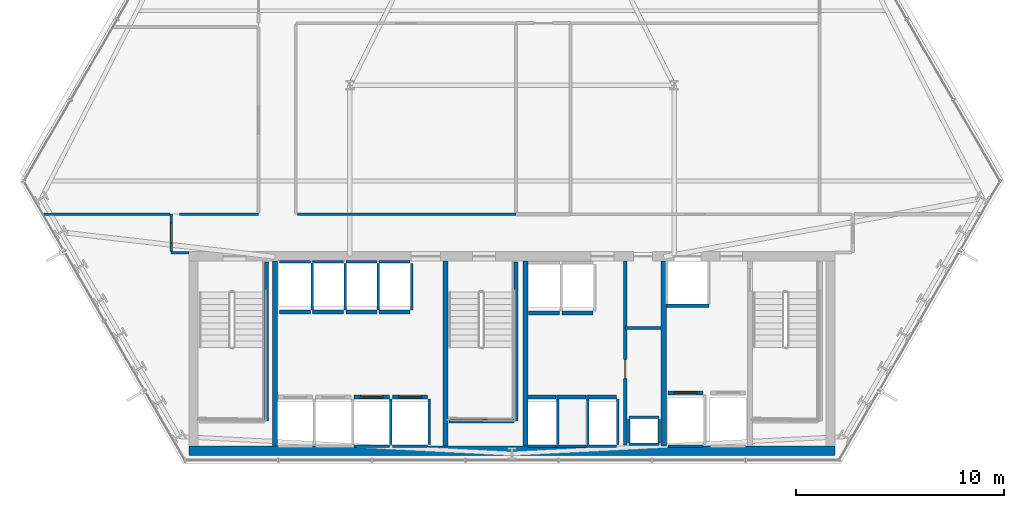
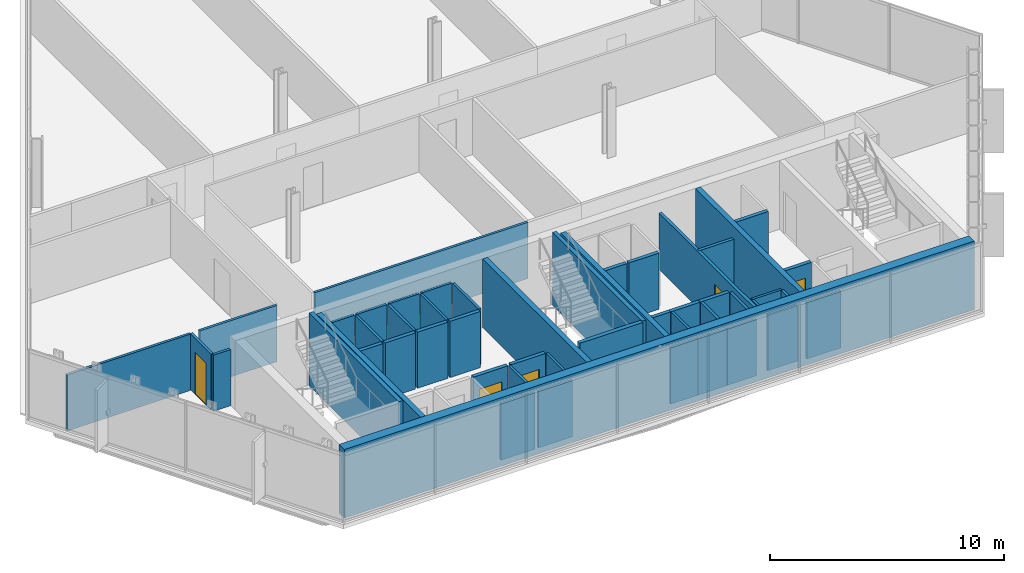
# One storey, part 26 of 32: 51 walls, 5 doors, 5 openings.
"""IFC4 building model written with IfcOpenShell, lengths in metres."""

from ifc_helpers import new_model, si_unit, direction, frame, frame_2d, origin, place, context, subcontext, project, spatial, rectangle, extrude, material, layer, layer_set, type_object, element, fill, save


model = new_model("IFC4")

# Units and contexts
model_context = context("Model", 3, precision=1e-05, world=origin(), true_north=direction((0.0, 1.0)))
body_context = subcontext(model_context, "Body", "Model", "MODEL_VIEW")
ifc_project = project(units=[si_unit("LENGTHUNIT", "METRE"), si_unit("AREAUNIT", "SQUARE_METRE"), si_unit("VOLUMEUNIT", "CUBIC_METRE"), si_unit("PLANEANGLEUNIT", "RADIAN"), si_unit("MASSUNIT", "GRAM", prefix="KILO")], contexts=[model_context])

# Site, building, storey
site_placement = place(None, origin())
site = spatial("IfcSite", under=ifc_project, at=site_placement, CompositionType="ELEMENT")
building_placement = place(site_placement, origin())
building = spatial("IfcBuilding", under=site, at=building_placement, Name="Ndaravel Arena Tower", CompositionType="ELEMENT")
storey_placement = place(building_placement, frame((0.0, 0.0, 58.800048828125)))
storey = spatial("IfcBuildingStorey", under=building, at=storey_placement, Name="L12", CompositionType="ELEMENT", Elevation=58.800048828125)

# Wall, opening, door
ifc_material_1 = material(Name="Gypsum", Category="gypsum")
ifc_layer_1 = layer(ifc_material_1, 0.14990234375)
ifc_layer_set_1 = layer_set([ifc_layer_1], Name="Gypsum")
wall_type_1 = type_object("IfcWallType", Name="WALL-COMP-150", PredefinedType="PARTITIONING", material=ifc_layer_set_1)
wall_1_placement = place(storey_placement, frame((47.449951171875, 5.89990234375, 0.0), z_axis=(0.0, 0.0, 1.0), x_axis=(0.0, 1.0, 0.0)))
wall_1 = element("IfcWall", 1, at=wall_1_placement, inside=storey, type_object=wall_type_1, Name="L12 Core Riser Bay Partition", PredefinedType="PARTITIONING", context=body_context, shape_type="SweptSolid", body=[
    extrude(rectangle(XDim=8.85009765625, YDim=0.14990234375, at=frame_2d((4.425048828125, 0.0))), origin(), (0.0, 0.0, 1.0), 2.932861328125),
])
opening_1_placement = place(wall_1_placement, frame((3.199951171875, 0.0, 0.0)))
opening_1 = element("IfcOpeningElement", 2, at=opening_1_placement, cuts=wall_1, Name="Opening RD-01", PredefinedType="OPENING", context=body_context, shape_type="SweptSolid", body=[
    extrude(rectangle(XDim=0.89990234375, YDim=2.10009765625, at=frame_2d((0.449951171875, 1.050048828125))), frame((0.0, 0.074951171875, 0.0), z_axis=(0.0, -1.0, 0.0), x_axis=(1.0, 0.0, 0.0)), (0.0, 0.0, 1.0), 0.14990234375),
])
ifc_material_2 = material(Name="Steel S355", Category="steel")
door_type_1 = type_object("IfcDoorType", Name="DT-08-RISER-900", OperationType="SINGLE_SWING_LEFT", PredefinedType="DOOR", material=ifc_material_2)
door_1_placement = place(opening_1_placement, origin())
door_1 = element("IfcDoor", 3, at=door_1_placement, inside=storey, type_object=door_type_1, Name="L12 Sub-Metering Closet Door", OperationType="SINGLE_SWING_LEFT", OverallHeight=2.10009765625, OverallWidth=0.89990234375, PredefinedType="DOOR", context=body_context, shape_type="SweptSolid", body=[
    extrude(rectangle(XDim=0.89990234375, YDim=2.10009765625, at=frame_2d((0.449951171875, 1.050048828125))), frame((0.0, 0.02490234375, 0.0), z_axis=(0.0, -1.0, 0.0), x_axis=(1.0, 0.0, 0.0)), (0.0, 0.0, 1.0), 0.050048828125),
])
fill(opening_1, door_1)

# Walls
wall_2_placement = place(storey_placement, frame((47.449951171875, 11.52001953125, 0.0), z_axis=(0.0, 0.0, 1.0), x_axis=(1.0, 0.0, 0.0)))
element("IfcWall", 4, at=wall_2_placement, inside=storey, type_object=wall_type_1, Name="L12 Core Riser Divider 1", PredefinedType="PARTITIONING", context=body_context, shape_type="SweptSolid", body=[
    extrude(rectangle(XDim=1.72998046875, YDim=0.14990234375, at=frame_2d((0.864990234375, 0.0))), origin(), (0.0, 0.0, 1.0), 2.932861328125),
])
ifc_material_3 = material(Name="Concrete C60/75", Category="concrete")
ifc_layer_2 = layer(ifc_material_3, 0.25)
ifc_layer_set_2 = layer_set([ifc_layer_2], Name="Concrete C60/75")
wall_type_2 = type_object("IfcWallType", Name="WALL-CORE-250", PredefinedType="SOLIDWALL", material=ifc_layer_set_2)
for number, where, z_axis, x_axis, name in (
    (5, (30.60009765625, 5.85009765625, 0.0), (0.0, 0.0, 1.0), (0.0, 1.0, 0.0), "L12 Core Web Shear Wall 1"),
    (6, (38.800048828125, 5.85009765625, 0.0), (0.0, 0.0, 1.0), (0.0, 1.0, 0.0), "L12 Core Web Shear Wall 2"),
    (7, (42.64990234375, 5.85009765625, 0.0), (0.0, 0.0, 1.0), (0.0, 1.0, 0.0), "L12 Core Web Shear Wall 3"),
    (8, (49.300048828125, 5.85009765625, 0.0), (0.0, 0.0, 1.0), (0.0, 1.0, 0.0), "L12 Core Web Shear Wall 4"),
):
    element("IfcWall", number, at=place(storey_placement, frame(where, z_axis=z_axis, x_axis=x_axis)), inside=storey, type_object=wall_type_2, Name=name, PredefinedType="SOLIDWALL", context=body_context, shape_type="SweptSolid", body=[
        extrude(rectangle(XDim=8.89990234375, YDim=0.25, at=frame_2d((4.449951171875, 0.0))), origin(), (0.0, 0.0, 1.0), 3.579833984375),
    ])
ifc_material_4 = material(Name="Concrete C60/75", Category="concrete")
ifc_layer_3 = layer(ifc_material_4, 0.449951171875)
ifc_layer_set_3 = layer_set([ifc_layer_3], Name="Concrete C60/75")
wall_type_3 = type_object("IfcWallType", Name="WALL-CORE-450", PredefinedType="SOLIDWALL", material=ifc_layer_set_3)
wall_3_placement = place(storey_placement, frame((26.449951171875, 5.625, 0.0), z_axis=(0.0, 0.0, 1.0), x_axis=(1.0, 0.0, 0.0)))
element("IfcWall", 9, at=wall_3_placement, inside=storey, type_object=wall_type_3, Name="L12 Core South Shear Wall", PredefinedType="SOLIDWALL", context=body_context, shape_type="SweptSolid", body=[
    extrude(rectangle(XDim=31.10009765625, YDim=0.449951171875, at=frame_2d((15.550048828125, 0.0))), origin(), (0.0, 0.0, 1.0), 3.579833984375),
])
ifc_material_5 = material(Name="Gypsum", Category="gypsum")
ifc_layer_4 = layer(ifc_material_5, 0.125)
ifc_layer_set_4 = layer_set([ifc_layer_4], Name="Gypsum")
wall_type_4 = type_object("IfcWallType", Name="WALL-PART-125", PredefinedType="PARTITIONING", material=ifc_layer_set_4)
wall_4_placement = place(storey_placement, frame((26.449951171875, 15.14990234375, 0.0), z_axis=(0.0, 0.0, 1.0), x_axis=(-1.0, 0.0, 0.0)))
element("IfcWall", 10, at=wall_4_placement, inside=storey, type_object=wall_type_4, Name="L12 Interior Partition 003", PredefinedType="PARTITIONING", context=body_context, shape_type="SweptSolid", body=[
    extrude(rectangle(XDim=0.849853515625, YDim=0.125, at=frame_2d((0.4248046875, 0.0))), origin(), (0.0, 0.0, 1.0), 2.932861328125),
])

# Wall, opening, door
wall_5_placement = place(storey_placement, frame((25.60009765625, 15.215087890625, 0.0), z_axis=(0.0, 0.0, 1.0), x_axis=(0.0, 1.0, 0.0)))
wall_5 = element("IfcWall", 11, at=wall_5_placement, inside=storey, type_object=wall_type_4, Name="L12 Interior Partition 004", PredefinedType="PARTITIONING", context=body_context, shape_type="SweptSolid", body=[
    extrude(rectangle(XDim=1.784912109375, YDim=0.125, at=frame_2d((0.892578125, 0.0))), origin(), (0.0, 0.0, 1.0), 2.932861328125),
])
opening_2_placement = place(wall_5_placement, frame((0.41748046875, 0.0, 0.0)))
opening_2 = element("IfcOpeningElement", 12, at=opening_2_placement, cuts=wall_5, Name="Opening ID-01", PredefinedType="OPENING", context=body_context, shape_type="SweptSolid", body=[
    extrude(rectangle(XDim=0.949951171875, YDim=2.199951171875, at=frame_2d((0.47509765625, 1.10009765625))), frame((0.0, 0.0625, 0.0), z_axis=(0.0, -1.0, 0.0), x_axis=(1.0, 0.0, 0.0)), (0.0, 0.0, 1.0), 0.125),
])
ifc_material_6 = material(Name="Timber", Category="wood")
door_type_2 = type_object("IfcDoorType", Name="DT-03-OFFICE-950", OperationType="SINGLE_SWING_LEFT", PredefinedType="DOOR", material=ifc_material_6)
door_2_placement = place(opening_2_placement, origin())
door_2 = element("IfcDoor", 13, at=door_2_placement, inside=storey, type_object=door_type_2, Name="L12 Open Plan Workplace Door", OperationType="SINGLE_SWING_LEFT", OverallHeight=2.199951171875, OverallWidth=0.949951171875, PredefinedType="DOOR", context=body_context, shape_type="SweptSolid", body=[
    extrude(rectangle(XDim=0.949951171875, YDim=2.199951171875, at=frame_2d((0.47509765625, 1.10009765625))), frame((0.0, 0.02490234375, 0.0), z_axis=(0.0, -1.0, 0.0), x_axis=(1.0, 0.0, 0.0)), (0.0, 0.0, 1.0), 0.050048828125),
])
fill(opening_2, door_2)

# Walls
wall_6_placement = place(storey_placement, frame((26.0, 17.0, 0.0), z_axis=(0.0, 0.0, 1.0), x_axis=(1.0, 0.0, 0.0)))
element("IfcWall", 14, at=wall_6_placement, inside=storey, type_object=wall_type_4, Name="L12 Interior Partition 005", PredefinedType="PARTITIONING", context=body_context, shape_type="SweptSolid", body=[
    extrude(rectangle(XDim=3.800048828125, YDim=0.125, at=frame_2d((1.89990234375, 0.0))), origin(), (0.0, 0.0, 1.0), 2.932861328125),
])
wall_7_placement = place(storey_placement, frame((31.6650390625, 17.0, 0.0), z_axis=(0.0, 0.0, 1.0), x_axis=(1.0, 0.0, 0.0)))
element("IfcWall", 15, at=wall_7_placement, inside=storey, type_object=wall_type_4, Name="L12 Interior Partition 018", PredefinedType="PARTITIONING", context=body_context, shape_type="SweptSolid", body=[
    extrude(rectangle(XDim=10.51904296875, YDim=0.125, at=frame_2d((5.259521484375, 0.0))), origin(), (0.0, 0.0, 1.0), 2.932861328125),
])
wall_8_placement = place(storey_placement, frame((19.42919921875, 17.0, 0.0), z_axis=(0.0, 0.0, 1.0), x_axis=(1.0, 0.0, 0.0)))
element("IfcWall", 16, at=wall_8_placement, inside=storey, type_object=wall_type_4, Name="L12 Interior Partition 022", PredefinedType="PARTITIONING", context=body_context, shape_type="SweptSolid", body=[
    extrude(rectangle(XDim=6.105712890625, YDim=0.125, at=frame_2d((3.052734375, 0.0))), origin(), (0.0, 0.0, 1.0), 2.932861328125),
])
ifc_material_7 = material(Name="Concrete C40/50", Category="concrete")
ifc_layer_5 = layer(ifc_material_7, 0.1201171875)
ifc_layer_set_5 = layer_set([ifc_layer_5], Name="Concrete C40/50")
wall_type_5 = type_object("IfcWallType", Name="WALL-SHAFT-120", PredefinedType="SOLIDWALL", material=ifc_layer_set_5)
for number, where, z_axis, x_axis, name in (
    (17, (47.6201171875, 5.919921875, 0.0), (0.0, 0.0, 1.0), (1.0, 0.0, 0.0), "L12 MEP Riser Shaft S Wall"),
    (18, (47.6201171875, 7.219970703125, 0.0), (0.0, 0.0, 1.0), (1.0, 0.0, 0.0), "L12 MEP Riser Shaft N Wall"),
):
    element("IfcWall", number, at=place(storey_placement, frame(where, z_axis=z_axis, x_axis=x_axis)), inside=storey, type_object=wall_type_5, Name=name, PredefinedType="SOLIDWALL", context=body_context, shape_type="SweptSolid", body=[
        extrude(rectangle(XDim=1.4599609375, YDim=0.1201171875, at=frame_2d((0.72998046875, 0.0))), origin(), (0.0, 0.0, 1.0), 2.932861328125),
    ])
for number, where, z_axis, x_axis, name in (
    (19, (47.6201171875, 6.0, 0.0), (0.0, 0.0, 1.0), (0.0, 1.0, 0.0), "L12 MEP Riser Shaft W Wall"),
    (20, (49.080078125, 6.0, 0.0), (0.0, 0.0, 1.0), (0.0, 1.0, 0.0), "L12 MEP Riser Shaft E Wall"),
):
    element("IfcWall", number, at=place(storey_placement, frame(where, z_axis=z_axis, x_axis=x_axis)), inside=storey, type_object=wall_type_5, Name=name, PredefinedType="SOLIDWALL", context=body_context, shape_type="SweptSolid", body=[
        extrude(rectangle(XDim=1.139892578125, YDim=0.1201171875, at=frame_2d((0.56982421875, 0.0))), origin(), (0.0, 0.0, 1.0), 2.932861328125),
    ])
wall_9_placement = place(storey_placement, frame((34.405029296875, 5.840087890625, 0.0), z_axis=(0.0, 0.0, 1.0), x_axis=(1.0, 0.0, 0.0)))
element("IfcWall", 21, at=wall_9_placement, inside=storey, type_object=wall_type_5, Name="L12 PL-L3 Shaft Rear Wall", PredefinedType="SOLIDWALL", context=body_context, shape_type="SweptSolid", body=[
    extrude(rectangle(XDim=1.68994140625, YDim=0.1201171875, at=frame_2d((0.844970703125, 0.0))), origin(), (0.0, 0.0, 1.0), 2.932861328125),
])
wall_10_placement = place(storey_placement, frame((36.175048828125, 5.929931640625, 0.0), z_axis=(0.0, 0.0, 1.0), x_axis=(0.0, 1.0, 0.0)))
element("IfcWall", 22, at=wall_10_placement, inside=storey, type_object=wall_type_5, Name="L12 PL-L3 Shaft Side R Wall", PredefinedType="SOLIDWALL", context=body_context, shape_type="SweptSolid", body=[
    extrude(rectangle(XDim=2.18017578125, YDim=0.1201171875, at=frame_2d((1.090087890625, 0.0))), origin(), (0.0, 0.0, 1.0), 2.932861328125),
])
wall_11_placement = place(storey_placement, frame((36.2548828125, 5.840087890625, 0.0), z_axis=(0.0, 0.0, 1.0), x_axis=(1.0, 0.0, 0.0)))
element("IfcWall", 23, at=wall_11_placement, inside=storey, type_object=wall_type_5, Name="L12 PL-L4 Shaft Rear Wall", PredefinedType="SOLIDWALL", context=body_context, shape_type="SweptSolid", body=[
    extrude(rectangle(XDim=1.690185546875, YDim=0.1201171875, at=frame_2d((0.84521484375, 0.0))), origin(), (0.0, 0.0, 1.0), 2.932861328125),
])
wall_12_placement = place(storey_placement, frame((38.02490234375, 5.929931640625, 0.0), z_axis=(0.0, 0.0, 1.0), x_axis=(0.0, 1.0, 0.0)))
element("IfcWall", 24, at=wall_12_placement, inside=storey, type_object=wall_type_5, Name="L12 PL-L4 Shaft Side R Wall", PredefinedType="SOLIDWALL", context=body_context, shape_type="SweptSolid", body=[
    extrude(rectangle(XDim=2.18017578125, YDim=0.1201171875, at=frame_2d((1.090087890625, 0.0))), origin(), (0.0, 0.0, 1.0), 2.932861328125),
])
wall_13_placement = place(storey_placement, frame((30.804931640625, 14.7099609375, 0.0), z_axis=(0.0, 0.0, 1.0), x_axis=(1.0, 0.0, 0.0)))
element("IfcWall", 25, at=wall_13_placement, inside=storey, type_object=wall_type_5, Name="L12 PL-M1 Shaft Rear Wall", PredefinedType="SOLIDWALL", context=body_context, shape_type="SweptSolid", body=[
    extrude(rectangle(XDim=1.489990234375, YDim=0.1201171875, at=frame_2d((0.7451171875, 0.0))), origin(), (0.0, 0.0, 1.0), 2.932861328125),
])
wall_14_placement = place(storey_placement, frame((32.375, 12.389892578125, 0.0), z_axis=(0.0, 0.0, 1.0), x_axis=(0.0, 1.0, 0.0)))
element("IfcWall", 26, at=wall_14_placement, inside=storey, type_object=wall_type_5, Name="L12 PL-M1 Shaft Side R Wall", PredefinedType="SOLIDWALL", context=body_context, shape_type="SweptSolid", body=[
    extrude(rectangle(XDim=2.230224609375, YDim=0.1201171875, at=frame_2d((1.115234375, 0.0))), origin(), (0.0, 0.0, 1.0), 2.932861328125),
])
wall_15_placement = place(storey_placement, frame((32.405029296875, 14.7099609375, 0.0), z_axis=(0.0, 0.0, 1.0), x_axis=(1.0, 0.0, 0.0)))
element("IfcWall", 27, at=wall_15_placement, inside=storey, type_object=wall_type_5, Name="L12 PL-M2 Shaft Rear Wall", PredefinedType="SOLIDWALL", context=body_context, shape_type="SweptSolid", body=[
    extrude(rectangle(XDim=1.489990234375, YDim=0.1201171875, at=frame_2d((0.7451171875, 0.0))), origin(), (0.0, 0.0, 1.0), 2.932861328125),
])
wall_16_placement = place(storey_placement, frame((33.97509765625, 12.389892578125, 0.0), z_axis=(0.0, 0.0, 1.0), x_axis=(0.0, 1.0, 0.0)))
element("IfcWall", 28, at=wall_16_placement, inside=storey, type_object=wall_type_5, Name="L12 PL-M2 Shaft Side R Wall", PredefinedType="SOLIDWALL", context=body_context, shape_type="SweptSolid", body=[
    extrude(rectangle(XDim=2.230224609375, YDim=0.1201171875, at=frame_2d((1.115234375, 0.0))), origin(), (0.0, 0.0, 1.0), 2.932861328125),
])
wall_17_placement = place(storey_placement, frame((34.0048828125, 14.7099609375, 0.0), z_axis=(0.0, 0.0, 1.0), x_axis=(1.0, 0.0, 0.0)))
element("IfcWall", 29, at=wall_17_placement, inside=storey, type_object=wall_type_5, Name="L12 PL-M3 Shaft Rear Wall", PredefinedType="SOLIDWALL", context=body_context, shape_type="SweptSolid", body=[
    extrude(rectangle(XDim=1.490234375, YDim=0.1201171875, at=frame_2d((0.7451171875, 0.0))), origin(), (0.0, 0.0, 1.0), 2.932861328125),
])
wall_18_placement = place(storey_placement, frame((35.574951171875, 12.389892578125, 0.0), z_axis=(0.0, 0.0, 1.0), x_axis=(0.0, 1.0, 0.0)))
element("IfcWall", 30, at=wall_18_placement, inside=storey, type_object=wall_type_5, Name="L12 PL-M3 Shaft Side R Wall", PredefinedType="SOLIDWALL", context=body_context, shape_type="SweptSolid", body=[
    extrude(rectangle(XDim=2.230224609375, YDim=0.1201171875, at=frame_2d((1.115234375, 0.0))), origin(), (0.0, 0.0, 1.0), 2.932861328125),
])
wall_19_placement = place(storey_placement, frame((35.60498046875, 14.7099609375, 0.0), z_axis=(0.0, 0.0, 1.0), x_axis=(1.0, 0.0, 0.0)))
element("IfcWall", 31, at=wall_19_placement, inside=storey, type_object=wall_type_5, Name="L12 PL-M4 Shaft Rear Wall", PredefinedType="SOLIDWALL", context=body_context, shape_type="SweptSolid", body=[
    extrude(rectangle(XDim=1.489990234375, YDim=0.1201171875, at=frame_2d((0.7451171875, 0.0))), origin(), (0.0, 0.0, 1.0), 2.932861328125),
])
wall_20_placement = place(storey_placement, frame((37.175048828125, 12.389892578125, 0.0), z_axis=(0.0, 0.0, 1.0), x_axis=(0.0, 1.0, 0.0)))
element("IfcWall", 32, at=wall_20_placement, inside=storey, type_object=wall_type_5, Name="L12 PL-M4 Shaft Side R Wall", PredefinedType="SOLIDWALL", context=body_context, shape_type="SweptSolid", body=[
    extrude(rectangle(XDim=2.230224609375, YDim=0.1201171875, at=frame_2d((1.115234375, 0.0))), origin(), (0.0, 0.0, 1.0), 2.932861328125),
])
wall_21_placement = place(storey_placement, frame((42.780029296875, 5.840087890625, 0.0), z_axis=(0.0, 0.0, 1.0), x_axis=(1.0, 0.0, 0.0)))
element("IfcWall", 33, at=wall_21_placement, inside=storey, type_object=wall_type_5, Name="L12 PL-H1 Shaft Rear Wall", PredefinedType="SOLIDWALL", context=body_context, shape_type="SweptSolid", body=[
    extrude(rectangle(XDim=1.340087890625, YDim=0.1201171875, at=frame_2d((0.669921875, 0.0))), origin(), (0.0, 0.0, 1.0), 2.932861328125),
])
wall_22_placement = place(storey_placement, frame((44.199951171875, 5.929931640625, 0.0), z_axis=(0.0, 0.0, 1.0), x_axis=(0.0, 1.0, 0.0)))
element("IfcWall", 34, at=wall_22_placement, inside=storey, type_object=wall_type_5, Name="L12 PL-H1 Shaft Side R Wall", PredefinedType="SOLIDWALL", context=body_context, shape_type="SweptSolid", body=[
    extrude(rectangle(XDim=2.18017578125, YDim=0.1201171875, at=frame_2d((1.090087890625, 0.0))), origin(), (0.0, 0.0, 1.0), 2.932861328125),
])
wall_23_placement = place(storey_placement, frame((44.1298828125, 5.840087890625, 0.0), z_axis=(0.0, 0.0, 1.0), x_axis=(1.0, 0.0, 0.0)))
element("IfcWall", 35, at=wall_23_placement, inside=storey, type_object=wall_type_5, Name="L12 PL-H2 Shaft Rear Wall", PredefinedType="SOLIDWALL", context=body_context, shape_type="SweptSolid", body=[
    extrude(rectangle(XDim=1.440185546875, YDim=0.1201171875, at=frame_2d((0.72021484375, 0.0))), origin(), (0.0, 0.0, 1.0), 2.932861328125),
])
wall_24_placement = place(storey_placement, frame((45.64990234375, 5.929931640625, 0.0), z_axis=(0.0, 0.0, 1.0), x_axis=(0.0, 1.0, 0.0)))
element("IfcWall", 36, at=wall_24_placement, inside=storey, type_object=wall_type_5, Name="L12 PL-H2 Shaft Side R Wall", PredefinedType="SOLIDWALL", context=body_context, shape_type="SweptSolid", body=[
    extrude(rectangle(XDim=2.18017578125, YDim=0.1201171875, at=frame_2d((1.090087890625, 0.0))), origin(), (0.0, 0.0, 1.0), 2.932861328125),
])
wall_25_placement = place(storey_placement, frame((45.580078125, 5.840087890625, 0.0), z_axis=(0.0, 0.0, 1.0), x_axis=(1.0, 0.0, 0.0)))
element("IfcWall", 37, at=wall_25_placement, inside=storey, type_object=wall_type_5, Name="L12 PL-H3 Shaft Rear Wall", PredefinedType="SOLIDWALL", context=body_context, shape_type="SweptSolid", body=[
    extrude(rectangle(XDim=1.43994140625, YDim=0.1201171875, at=frame_2d((0.719970703125, 0.0))), origin(), (0.0, 0.0, 1.0), 2.932861328125),
])
wall_26_placement = place(storey_placement, frame((47.10009765625, 5.929931640625, 0.0), z_axis=(0.0, 0.0, 1.0), x_axis=(0.0, 1.0, 0.0)))
element("IfcWall", 38, at=wall_26_placement, inside=storey, type_object=wall_type_5, Name="L12 PL-H3 Shaft Side R Wall", PredefinedType="SOLIDWALL", context=body_context, shape_type="SweptSolid", body=[
    extrude(rectangle(XDim=2.18017578125, YDim=0.1201171875, at=frame_2d((1.090087890625, 0.0))), origin(), (0.0, 0.0, 1.0), 2.932861328125),
])
wall_27_placement = place(storey_placement, frame((49.5048828125, 5.840087890625, 0.0), z_axis=(0.0, 0.0, 1.0), x_axis=(1.0, 0.0, 0.0)))
element("IfcWall", 39, at=wall_27_placement, inside=storey, type_object=wall_type_5, Name="L12 FFL-1 Shaft Rear Wall", PredefinedType="SOLIDWALL", context=body_context, shape_type="SweptSolid", body=[
    extrude(rectangle(XDim=1.690185546875, YDim=0.1201171875, at=frame_2d((0.84521484375, 0.0))), origin(), (0.0, 0.0, 1.0), 2.932861328125),
])
ifc_material_8 = material(Name="Concrete C40/50", Category="concrete")
ifc_layer_6 = layer(ifc_material_8, 0.199951171875)
ifc_layer_set_6 = layer_set([ifc_layer_6], Name="Concrete C40/50")
wall_type_6 = type_object("IfcWallType", Name="WALL-SHAFT-200", PredefinedType="SOLIDWALL", material=ifc_layer_set_6)
for number, where, z_axis, x_axis, name in (
    (40, (30.18994140625, 14.699951171875, 0.0), (0.0, 0.0, 1.0), (0.0, -1.0, 0.0), "L12 ST-1 Structural Shaft Wall Right"),
    (41, (42.18994140625, 14.699951171875, 0.0), (0.0, 0.0, 1.0), (0.0, -1.0, 0.0), "L12 ST-2 Structural Shaft Wall Right"),
):
    element("IfcWall", number, at=place(storey_placement, frame(where, z_axis=z_axis, x_axis=x_axis)), inside=storey, type_object=wall_type_6, Name=name, PredefinedType="SOLIDWALL", context=body_context, shape_type="SweptSolid", body=[
        extrude(rectangle(XDim=7.64990234375, YDim=0.199951171875, at=frame_2d((3.824951171875, 0.0))), origin(), (0.0, 0.0, 1.0), 3.800048828125),
    ])
wall_28_placement = place(storey_placement, frame((38.969970703125, 7.050048828125, 0.0), z_axis=(0.0, 0.0, 1.0), x_axis=(1.0, 0.0, 0.0)))
element("IfcWall", 42, at=wall_28_placement, inside=storey, type_object=wall_type_6, Name="L12 ST-2 Structural Shaft Wall Far", PredefinedType="SOLIDWALL", context=body_context, shape_type="SweptSolid", body=[
    extrude(rectangle(XDim=3.114990234375, YDim=0.199951171875, at=frame_2d((1.5576171875, 0.0))), origin(), (0.0, 0.0, 1.0), 3.800048828125),
])

# Wall, opening, door
wall_29_placement = place(storey_placement, frame((34.405029296875, 8.199951171875, 0.0), z_axis=(0.0, 0.0, 1.0), x_axis=(1.0, 0.0, 0.0)))
wall_29 = element("IfcWall", 43, at=wall_29_placement, inside=storey, type_object=wall_type_6, Name="L12 PL-L3 Shaft Landing Wall", PredefinedType="SOLIDWALL", context=body_context, shape_type="SweptSolid", body=[
    extrude(rectangle(XDim=1.68994140625, YDim=0.179931640625, at=frame_2d((0.844970703125, 0.0))), origin(), (0.0, 0.0, 1.0), 2.932861328125),
])
opening_3_placement = place(wall_29_placement, frame((0.294921875, 0.0, 0.0)))
opening_3 = element("IfcOpeningElement", 44, at=opening_3_placement, cuts=wall_29, Name="Opening LD-01", PredefinedType="OPENING", context=body_context, shape_type="SweptSolid", body=[
    extrude(rectangle(XDim=1.10009765625, YDim=2.199951171875, at=frame_2d((0.550048828125, 1.10009765625))), frame((0.0, 0.08984375, 0.0), z_axis=(0.0, -1.0, 0.0), x_axis=(1.0, 0.0, 0.0)), (0.0, 0.0, 1.0), 0.179931640625),
])
ifc_material_9 = material(Name="Steel S355", Category="steel")
door_type_3 = type_object("IfcDoorType", Name="DT-06-LIFT-1100", OperationType="SLIDING_TO_LEFT", PredefinedType="DOOR", material=ifc_material_9)
door_3_placement = place(opening_3_placement, origin())
door_3 = element("IfcDoor", 45, at=door_3_placement, inside=storey, type_object=door_type_3, Name="L12 Lift PL-L3 Sliding Landing Door", OperationType="SLIDING_TO_LEFT", OverallHeight=2.199951171875, OverallWidth=1.10009765625, PredefinedType="DOOR", context=body_context, shape_type="SweptSolid", body=[
    extrude(rectangle(XDim=1.10009765625, YDim=2.199951171875, at=frame_2d((0.550048828125, 1.10009765625))), frame((0.0, 0.02490234375, 0.0), z_axis=(0.0, -1.0, 0.0), x_axis=(1.0, 0.0, 0.0)), (0.0, 0.0, 1.0), 0.050048828125),
])
fill(opening_3, door_3)

wall_30_placement = place(storey_placement, frame((36.2548828125, 8.199951171875, 0.0), z_axis=(0.0, 0.0, 1.0), x_axis=(1.0, 0.0, 0.0)))
wall_30 = element("IfcWall", 46, at=wall_30_placement, inside=storey, type_object=wall_type_6, Name="L12 PL-L4 Shaft Landing Wall", PredefinedType="SOLIDWALL", context=body_context, shape_type="SweptSolid", body=[
    extrude(rectangle(XDim=1.690185546875, YDim=0.179931640625, at=frame_2d((0.84521484375, 0.0))), origin(), (0.0, 0.0, 1.0), 2.932861328125),
])
opening_4_placement = place(wall_30_placement, frame((0.294921875, 0.0, 0.0)))
opening_4 = element("IfcOpeningElement", 47, at=opening_4_placement, cuts=wall_30, Name="Opening LD-01", PredefinedType="OPENING", context=body_context, shape_type="SweptSolid", body=[
    extrude(rectangle(XDim=1.10009765625, YDim=2.199951171875, at=frame_2d((0.550048828125, 1.10009765625))), frame((0.0, 0.08984375, 0.0), z_axis=(0.0, -1.0, 0.0), x_axis=(1.0, 0.0, 0.0)), (0.0, 0.0, 1.0), 0.179931640625),
])
door_4_placement = place(opening_4_placement, origin())
door_4 = element("IfcDoor", 48, at=door_4_placement, inside=storey, type_object=door_type_3, Name="L12 Lift PL-L4 Sliding Landing Door", OperationType="SLIDING_TO_LEFT", OverallHeight=2.199951171875, OverallWidth=1.10009765625, PredefinedType="DOOR", context=body_context, shape_type="SweptSolid", body=[
    extrude(rectangle(XDim=1.10009765625, YDim=2.199951171875, at=frame_2d((0.550048828125, 1.10009765625))), frame((0.0, 0.02490234375, 0.0), z_axis=(0.0, -1.0, 0.0), x_axis=(1.0, 0.0, 0.0)), (0.0, 0.0, 1.0), 0.050048828125),
])
fill(opening_4, door_4)

# Walls
for number, where, z_axis, x_axis, name in (
    (49, (30.804931640625, 12.300048828125, 0.0), (0.0, 0.0, 1.0), (1.0, 0.0, 0.0), "L12 PL-M1 Shaft Landing Wall"),
    (50, (32.405029296875, 12.300048828125, 0.0), (0.0, 0.0, 1.0), (1.0, 0.0, 0.0), "L12 PL-M2 Shaft Landing Wall"),
):
    element("IfcWall", number, at=place(storey_placement, frame(where, z_axis=z_axis, x_axis=x_axis)), inside=storey, type_object=wall_type_6, Name=name, PredefinedType="SOLIDWALL", context=body_context, shape_type="SweptSolid", body=[
        extrude(rectangle(XDim=1.489990234375, YDim=0.179931640625, at=frame_2d((0.7451171875, 0.0))), origin(), (0.0, 0.0, 1.0), 2.932861328125),
    ])
wall_31_placement = place(storey_placement, frame((34.0048828125, 12.300048828125, 0.0), z_axis=(0.0, 0.0, 1.0), x_axis=(1.0, 0.0, 0.0)))
element("IfcWall", 51, at=wall_31_placement, inside=storey, type_object=wall_type_6, Name="L12 PL-M3 Shaft Landing Wall", PredefinedType="SOLIDWALL", context=body_context, shape_type="SweptSolid", body=[
    extrude(rectangle(XDim=1.490234375, YDim=0.179931640625, at=frame_2d((0.7451171875, 0.0))), origin(), (0.0, 0.0, 1.0), 2.932861328125),
])
wall_32_placement = place(storey_placement, frame((35.60498046875, 12.300048828125, 0.0), z_axis=(0.0, 0.0, 1.0), x_axis=(1.0, 0.0, 0.0)))
element("IfcWall", 52, at=wall_32_placement, inside=storey, type_object=wall_type_6, Name="L12 PL-M4 Shaft Landing Wall", PredefinedType="SOLIDWALL", context=body_context, shape_type="SweptSolid", body=[
    extrude(rectangle(XDim=1.489990234375, YDim=0.179931640625, at=frame_2d((0.7451171875, 0.0))), origin(), (0.0, 0.0, 1.0), 2.932861328125),
])
wall_33_placement = place(storey_placement, frame((42.780029296875, 8.199951171875, 0.0), z_axis=(0.0, 0.0, 1.0), x_axis=(1.0, 0.0, 0.0)))
element("IfcWall", 53, at=wall_33_placement, inside=storey, type_object=wall_type_6, Name="L12 PL-H1 Shaft Landing Wall", PredefinedType="SOLIDWALL", context=body_context, shape_type="SweptSolid", body=[
    extrude(rectangle(XDim=1.340087890625, YDim=0.179931640625, at=frame_2d((0.669921875, 0.0))), origin(), (0.0, 0.0, 1.0), 2.932861328125),
])
wall_34_placement = place(storey_placement, frame((44.1298828125, 8.199951171875, 0.0), z_axis=(0.0, 0.0, 1.0), x_axis=(1.0, 0.0, 0.0)))
element("IfcWall", 54, at=wall_34_placement, inside=storey, type_object=wall_type_6, Name="L12 PL-H2 Shaft Landing Wall", PredefinedType="SOLIDWALL", context=body_context, shape_type="SweptSolid", body=[
    extrude(rectangle(XDim=1.440185546875, YDim=0.179931640625, at=frame_2d((0.72021484375, 0.0))), origin(), (0.0, 0.0, 1.0), 2.932861328125),
])
wall_35_placement = place(storey_placement, frame((45.580078125, 8.199951171875, 0.0), z_axis=(0.0, 0.0, 1.0), x_axis=(1.0, 0.0, 0.0)))
element("IfcWall", 55, at=wall_35_placement, inside=storey, type_object=wall_type_6, Name="L12 PL-H3 Shaft Landing Wall", PredefinedType="SOLIDWALL", context=body_context, shape_type="SweptSolid", body=[
    extrude(rectangle(XDim=1.43994140625, YDim=0.179931640625, at=frame_2d((0.719970703125, 0.0))), origin(), (0.0, 0.0, 1.0), 2.932861328125),
])
for number, where, z_axis, x_axis, name in (
    (56, (42.804931640625, 12.25, 0.0), (0.0, 0.0, 1.0), (1.0, 0.0, 0.0), "L12 PL-OBS1 Shaft Landing Wall"),
    (57, (44.405029296875, 12.25, 0.0), (0.0, 0.0, 1.0), (1.0, 0.0, 0.0), "L12 PL-OBS2 Shaft Landing Wall"),
):
    element("IfcWall", number, at=place(storey_placement, frame(where, z_axis=z_axis, x_axis=x_axis)), inside=storey, type_object=wall_type_6, Name=name, PredefinedType="SOLIDWALL", context=body_context, shape_type="SweptSolid", body=[
        extrude(rectangle(XDim=1.489990234375, YDim=0.179931640625, at=frame_2d((0.7451171875, 0.0))), origin(), (0.0, 0.0, 1.0), 2.932861328125),
    ])

# Wall, opening, door
wall_36_placement = place(storey_placement, frame((49.5048828125, 8.39990234375, 0.0), z_axis=(0.0, 0.0, 1.0), x_axis=(1.0, 0.0, 0.0)))
wall_36 = element("IfcWall", 58, at=wall_36_placement, inside=storey, type_object=wall_type_6, Name="L12 FFL-1 Shaft Landing Wall", PredefinedType="SOLIDWALL", context=body_context, shape_type="SweptSolid", body=[
    extrude(rectangle(XDim=1.690185546875, YDim=0.179931640625, at=frame_2d((0.84521484375, 0.0))), origin(), (0.0, 0.0, 1.0), 2.932861328125),
])
opening_5_placement = place(wall_36_placement, frame((0.294921875, 0.0, 0.0)))
opening_5 = element("IfcOpeningElement", 59, at=opening_5_placement, cuts=wall_36, Name="Opening LD-01", PredefinedType="OPENING", context=body_context, shape_type="SweptSolid", body=[
    extrude(rectangle(XDim=1.10009765625, YDim=2.199951171875, at=frame_2d((0.550048828125, 1.10009765625))), frame((0.0, 0.08984375, 0.0), z_axis=(0.0, -1.0, 0.0), x_axis=(1.0, 0.0, 0.0)), (0.0, 0.0, 1.0), 0.179931640625),
])
door_5_placement = place(opening_5_placement, origin())
door_5 = element("IfcDoor", 60, at=door_5_placement, inside=storey, type_object=door_type_3, Name="L12 Lift FFL-1 Sliding Landing Door", OperationType="SLIDING_TO_LEFT", OverallHeight=2.199951171875, OverallWidth=1.10009765625, PredefinedType="DOOR", context=body_context, shape_type="SweptSolid", body=[
    extrude(rectangle(XDim=1.10009765625, YDim=2.199951171875, at=frame_2d((0.550048828125, 1.10009765625))), frame((0.0, 0.02490234375, 0.0), z_axis=(0.0, -1.0, 0.0), x_axis=(1.0, 0.0, 0.0)), (0.0, 0.0, 1.0), 0.050048828125),
])
fill(opening_5, door_5)

# Wall
wall_37_placement = place(storey_placement, frame((49.43994140625, 12.594970703125, 0.0), z_axis=(0.0, 0.0, 1.0), x_axis=(1.0, 0.0, 0.0)))
element("IfcWall", 61, at=wall_37_placement, inside=storey, type_object=wall_type_6, Name="L12 SVL-1 Shaft South Wall", PredefinedType="SOLIDWALL", context=body_context, shape_type="SweptSolid", body=[
    extrude(rectangle(XDim=2.0400390625, YDim=0.179931640625, at=frame_2d((1.02001953125, 0.0))), origin(), (0.0, 0.0, 1.0), 2.932861328125),
])

save(model, "model.ifc")
